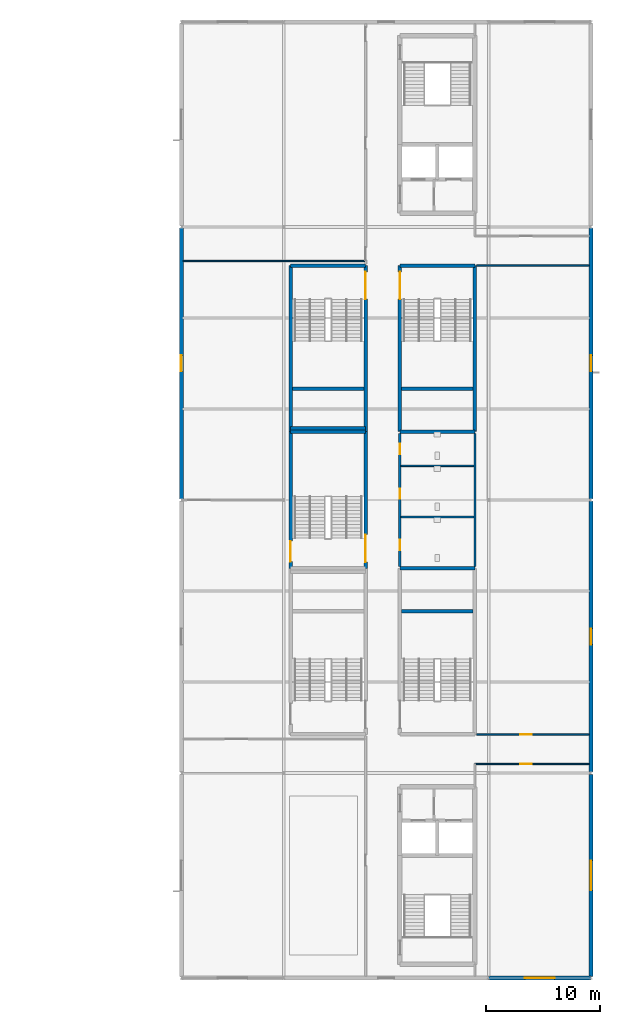
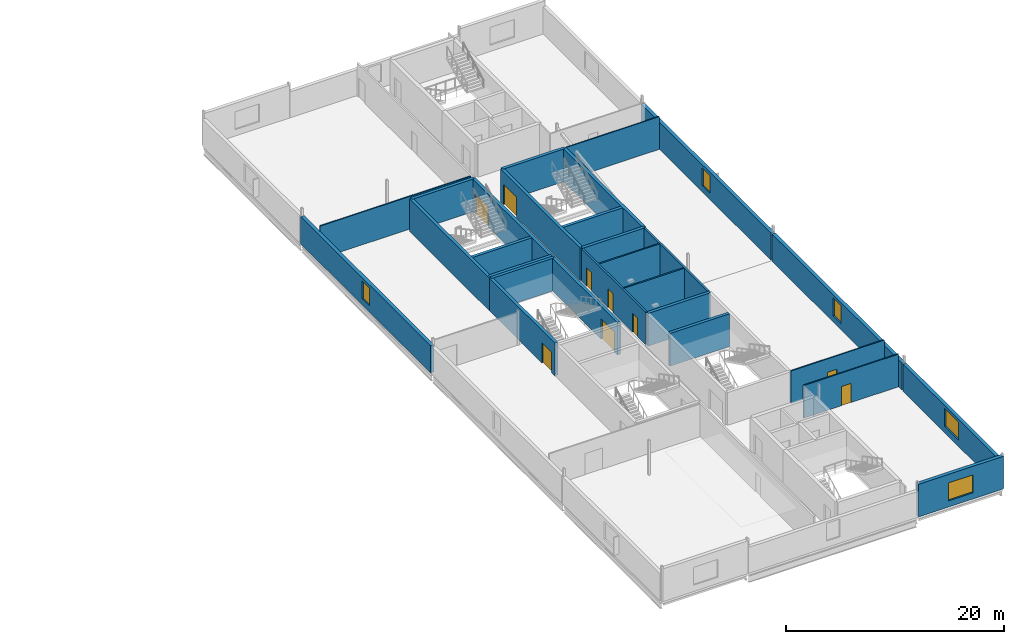
# One storey, part 23 of 35: 28 walls, 9 doors, 5 windows, 14 openings.
"""IFC4 building model written with IfcOpenShell, lengths in metres."""

from ifc_helpers import new_model, si_unit, direction, frame, frame_2d, origin, place, context, subcontext, project, spatial, rectangle, extrude, material, layer, layer_set, type_object, element, fill, save


model = new_model("IFC4")

# Units and contexts
model_context = context("Model", 3, precision=1e-05, world=origin(), true_north=direction((0.0, 1.0)))
body_context = subcontext(model_context, "Body", "Model", "MODEL_VIEW")
ifc_project = project(units=[si_unit("LENGTHUNIT", "METRE"), si_unit("AREAUNIT", "SQUARE_METRE"), si_unit("VOLUMEUNIT", "CUBIC_METRE"), si_unit("PLANEANGLEUNIT", "RADIAN"), si_unit("MASSUNIT", "GRAM", prefix="KILO")], contexts=[model_context])

# Site, building, storey
site_placement = place(None, origin())
site = spatial("IfcSite", under=ifc_project, at=site_placement, CompositionType="ELEMENT")
building_placement = place(site_placement, origin())
building = spatial("IfcBuilding", under=site, at=building_placement, Name="Kisiwana Market Hall", CompositionType="ELEMENT")
storey_placement = place(building_placement, frame((0.0, 0.0, 57.89990234375)))
storey = spatial("IfcBuildingStorey", under=building, at=storey_placement, Name="L13", CompositionType="ELEMENT", Elevation=57.89990234375)

# Wall
ifc_material_1 = material(Name="Masonry blockwork", Category="masonry")
ifc_layer_1 = layer(ifc_material_1, 0.199951171875, Name="Plastered fire compartment block wall")
ifc_layer_set_1 = layer_set([ifc_layer_1], Name="WL-COMP-200")
wall_type_1 = type_object("IfcWallType", Name="WL-COMP-200", PredefinedType="PARTITIONING", material=ifc_layer_set_1)
wall_1_placement = place(storey_placement, frame((187.800048828125, 54.159912109375, 0.0), z_axis=(0.0, 0.0, 1.0), x_axis=(0.0, 1.0, 0.0)))
element("IfcWall", 1, at=wall_1_placement, inside=storey, type_object=wall_type_1, Name="Interior partition W-3182", PredefinedType="PARTITIONING", context=body_context, shape_type="SweptSolid", body=[
    extrude(rectangle(XDim=11.68017578125, YDim=0.199951171875, at=frame_2d((5.840087890625, 0.0))), origin(), (0.0, 0.0, 1.0), 3.655029296875),
])

# Wall, openings, doors
wall_2_placement = place(storey_placement, frame((181.199951171875, 54.159912109375, 0.0), z_axis=(0.0, 0.0, 1.0), x_axis=(0.0, 1.0, 0.0)))
wall_2 = element("IfcWall", 2, at=wall_2_placement, inside=storey, type_object=wall_type_1, Name="Interior partition W-3183", PredefinedType="PARTITIONING", context=body_context, shape_type="SweptSolid", body=[
    extrude(rectangle(XDim=11.68017578125, YDim=0.199951171875, at=frame_2d((5.840087890625, 0.0))), origin(), (0.0, 0.0, 1.0), 3.655029296875),
])
opening_1_placement = place(wall_2_placement, frame((1.43994140625, 0.0, 0.0)))
opening_1 = element("IfcOpeningElement", 3, at=opening_1_placement, cuts=wall_2, Name="Opening DR-L13-039", PredefinedType="OPENING", context=body_context, shape_type="SweptSolid", body=[
    extrude(rectangle(XDim=0.89990234375, YDim=2.10009765625, at=frame_2d((0.449951171875, 1.050048828125))), frame((0.0, 0.11181640625, 0.0), z_axis=(0.0, -1.0, 0.0), x_axis=(1.0, 0.0, 0.0)), (0.0, 0.0, 1.0), 0.223876953125),
])
opening_2_placement = place(wall_2_placement, frame((5.93994140625, 0.0, 0.0)))
opening_2 = element("IfcOpeningElement", 4, at=opening_2_placement, cuts=wall_2, Name="Opening DR-L13-040", PredefinedType="OPENING", context=body_context, shape_type="SweptSolid", body=[
    extrude(rectangle(XDim=0.89990234375, YDim=2.10009765625, at=frame_2d((0.449951171875, 1.050048828125))), frame((0.0, 0.11181640625, 0.0), z_axis=(0.0, -1.0, 0.0), x_axis=(1.0, 0.0, 0.0)), (0.0, 0.0, 1.0), 0.223876953125),
])
opening_3_placement = place(wall_2_placement, frame((9.840087890625, 0.0, 0.0)))
opening_3 = element("IfcOpeningElement", 5, at=opening_3_placement, cuts=wall_2, Name="Opening DR-L13-041", PredefinedType="OPENING", context=body_context, shape_type="SweptSolid", body=[
    extrude(rectangle(XDim=0.949951171875, YDim=2.10009765625, at=frame_2d((0.47509765625, 1.050048828125))), frame((0.0, 0.11181640625, 0.0), z_axis=(0.0, -1.0, 0.0), x_axis=(1.0, 0.0, 0.0)), (0.0, 0.0, 1.0), 0.223876953125),
])
ifc_material_2 = material(Name="Aluminium alloy 6063-T6", Category="aluminium")
door_type_1 = type_object("IfcDoorType", Name="DR-WC-ACC-950", OperationType="NOTDEFINED", PredefinedType="DOOR", material=ifc_material_2)
door_1_placement = place(opening_3_placement, frame((0.949951171875, 0.0, 0.0), z_axis=(0.0, 0.0, 1.0), x_axis=(-1.0, 0.0, 0.0)))
door_1 = element("IfcDoor", 6, at=door_1_placement, inside=storey, type_object=door_type_1, Name="L13 E Accessible WC Door", OperationType="SINGLE_SWING_LEFT", OverallHeight=2.10009765625, OverallWidth=0.949951171875, PredefinedType="DOOR", context=body_context, shape_type="SweptSolid", body=[
    extrude(rectangle(XDim=0.949951171875, YDim=2.10009765625, at=frame_2d((0.47509765625, 1.050048828125))), frame((0.0, 0.02490234375, 0.0), z_axis=(0.0, -1.0, 0.0), x_axis=(1.0, 0.0, 0.0)), (0.0, 0.0, 1.0), 0.050048828125),
])
fill(opening_3, door_1)
ifc_material_3 = material(Name="Aluminium alloy 6063-T6", Category="aluminium")
door_type_2 = type_object("IfcDoorType", Name="DR-WC-STD-900", OperationType="NOTDEFINED", PredefinedType="DOOR", material=ifc_material_3)
door_2_placement = place(opening_1_placement, frame((0.89990234375, 0.0, 0.0), z_axis=(0.0, 0.0, 1.0), x_axis=(-1.0, 0.0, 0.0)))
door_2 = element("IfcDoor", 7, at=door_2_placement, inside=storey, type_object=door_type_2, Name="L13 E Male Toilet Door", OperationType="SINGLE_SWING_RIGHT", OverallHeight=2.10009765625, OverallWidth=0.89990234375, PredefinedType="DOOR", context=body_context, shape_type="SweptSolid", body=[
    extrude(rectangle(XDim=0.89990234375, YDim=2.10009765625, at=frame_2d((0.449951171875, 1.050048828125))), frame((0.0, 0.02490234375, 0.0), z_axis=(0.0, -1.0, 0.0), x_axis=(1.0, 0.0, 0.0)), (0.0, 0.0, 1.0), 0.050048828125),
])
fill(opening_1, door_2)
door_3_placement = place(opening_2_placement, frame((0.89990234375, 0.0, 0.0), z_axis=(0.0, 0.0, 1.0), x_axis=(-1.0, 0.0, 0.0)))
door_3 = element("IfcDoor", 8, at=door_3_placement, inside=storey, type_object=door_type_2, Name="L13 E Female Toilet Door", OperationType="SINGLE_SWING_LEFT", OverallHeight=2.10009765625, OverallWidth=0.89990234375, PredefinedType="DOOR", context=body_context, shape_type="SweptSolid", body=[
    extrude(rectangle(XDim=0.89990234375, YDim=2.10009765625, at=frame_2d((0.449951171875, 1.050048828125))), frame((0.0, 0.02490234375, 0.0), z_axis=(0.0, -1.0, 0.0), x_axis=(1.0, 0.0, 0.0)), (0.0, 0.0, 1.0), 0.050048828125),
])
fill(opening_2, door_3)

# Walls
ifc_material_4 = material(Name="Concrete C40/50", Category="concrete")
ifc_layer_2 = layer(ifc_material_4, 0.320068359375, Name="Reinforced concrete shaft wall")
ifc_layer_set_2 = layer_set([ifc_layer_2], Name="WL-CORE-320")
wall_type_2 = type_object("IfcWallType", Name="WL-CORE-320", PredefinedType="SHEAR", material=ifc_layer_set_2)
wall_3_placement = place(storey_placement, frame((181.199951171875, 54.0, 0.0), z_axis=(0.0, 0.0, 1.0), x_axis=(1.0, 0.0, 0.0)))
element("IfcWall", 9, at=wall_3_placement, inside=storey, type_object=wall_type_2, Name="Core E3 north shear wall W-3096", PredefinedType="SHEAR", context=body_context, shape_type="SweptSolid", body=[
    extrude(rectangle(XDim=6.60009765625, YDim=0.320068359375, at=frame_2d((3.300048828125, 0.0))), origin(), (0.0, 0.0, 1.0), 3.655029296875),
])
wall_4_placement = place(storey_placement, frame((181.360107421875, 50.219970703125, 0.0), z_axis=(0.0, 0.0, 1.0), x_axis=(1.0, 0.0, 0.0)))
element("IfcWall", 10, at=wall_4_placement, inside=storey, type_object=wall_type_2, Name="Core E3 riser divider shear wall W-3099", PredefinedType="SHEAR", context=body_context, shape_type="SweptSolid", body=[
    extrude(rectangle(XDim=6.27978515625, YDim=0.320068359375, at=frame_2d((3.139892578125, 0.0))), origin(), (0.0, 0.0, 1.0), 3.655029296875),
])
for number, where, z_axis, x_axis, name in (
    (11, (181.199951171875, 66.0, 0.0), (0.0, 0.0, 1.0), (1.0, 0.0, 0.0), "Core E4 south shear wall W-3100"),
    (12, (181.199951171875, 80.60009765625, 0.0), (0.0, 0.0, 1.0), (1.0, 0.0, 0.0), "Core E4 north shear wall W-3101"),
):
    element("IfcWall", number, at=place(storey_placement, frame(where, z_axis=z_axis, x_axis=x_axis)), inside=storey, type_object=wall_type_2, Name=name, PredefinedType="SHEAR", context=body_context, shape_type="SweptSolid", body=[
        extrude(rectangle(XDim=6.60009765625, YDim=0.320068359375, at=frame_2d((3.300048828125, 0.0))), origin(), (0.0, 0.0, 1.0), 3.655029296875),
    ])

# Wall, opening, door
wall_5_placement = place(storey_placement, frame((181.199951171875, 66.0, 0.0), z_axis=(0.0, 0.0, 1.0), x_axis=(0.0, 1.0, 0.0)))
wall_5 = element("IfcWall", 13, at=wall_5_placement, inside=storey, type_object=wall_type_2, Name="Core E4 corridor shear wall W-3102", PredefinedType="SHEAR", context=body_context, shape_type="SweptSolid", body=[
    extrude(rectangle(XDim=14.60009765625, YDim=0.320068359375, at=frame_2d((7.300048828125, 0.0))), origin(), (0.0, 0.0, 1.0), 3.655029296875),
])
opening_4_placement = place(wall_5_placement, frame((11.64990234375, 0.0, 0.0)))
opening_4 = element("IfcOpeningElement", 14, at=opening_4_placement, cuts=wall_5, Name="Opening DR-L13-016", PredefinedType="OPENING", context=body_context, shape_type="SweptSolid", body=[
    extrude(rectangle(XDim=2.39990234375, YDim=2.25, at=frame_2d((1.199951171875, 1.125))), frame((0.0, 0.171875, 0.0), z_axis=(0.0, -1.0, 0.0), x_axis=(1.0, 0.0, 0.0)), (0.0, 0.0, 1.0), 0.343994140625),
])
ifc_material_5 = material(Name="Steel S275", Category="steel")
door_type_3 = type_object("IfcDoorType", Name="DR-STAIR-FD120-2400", OperationType="DOUBLE_DOOR_SINGLE_SWING", PredefinedType="DOOR", material=ifc_material_5)
door_4_placement = place(opening_4_placement, frame((2.39990234375, 0.0, 0.0), z_axis=(0.0, 0.0, 1.0), x_axis=(-1.0, 0.0, 0.0)))
door_4 = element("IfcDoor", 15, at=door_4_placement, inside=storey, type_object=door_type_3, Name="Escape Stair E4 Fire Door (L13)", OperationType="DOUBLE_DOOR_SINGLE_SWING", OverallHeight=2.25, OverallWidth=2.39990234375, PredefinedType="DOOR", context=body_context, shape_type="SweptSolid", body=[
    extrude(rectangle(XDim=2.39990234375, YDim=2.25, at=frame_2d((1.199951171875, 1.125))), frame((0.0, 0.02490234375, 0.0), z_axis=(0.0, -1.0, 0.0), x_axis=(1.0, 0.0, 0.0)), (0.0, 0.0, 1.0), 0.050048828125),
])
fill(opening_4, door_4)

# Walls
wall_6_placement = place(storey_placement, frame((187.800048828125, 66.0, 0.0), z_axis=(0.0, 0.0, 1.0), x_axis=(0.0, 1.0, 0.0)))
element("IfcWall", 16, at=wall_6_placement, inside=storey, type_object=wall_type_2, Name="Core E4 outer shear wall W-3103", PredefinedType="SHEAR", context=body_context, shape_type="SweptSolid", body=[
    extrude(rectangle(XDim=14.60009765625, YDim=0.320068359375, at=frame_2d((7.300048828125, 0.0))), origin(), (0.0, 0.0, 1.0), 3.655029296875),
])
wall_7_placement = place(storey_placement, frame((181.360107421875, 69.780029296875, 0.0), z_axis=(0.0, 0.0, 1.0), x_axis=(1.0, 0.0, 0.0)))
element("IfcWall", 17, at=wall_7_placement, inside=storey, type_object=wall_type_2, Name="Core E4 riser divider shear wall W-3104", PredefinedType="SHEAR", context=body_context, shape_type="SweptSolid", body=[
    extrude(rectangle(XDim=6.27978515625, YDim=0.320068359375, at=frame_2d((3.139892578125, 0.0))), origin(), (0.0, 0.0, 1.0), 3.655029296875),
])
for number, where, z_axis, x_axis, name in (
    (18, (171.60009765625, 66.0, 0.0), (0.0, 0.0, 1.0), (1.0, 0.0, 0.0), "Core E8 south shear wall W-3120"),
    (19, (171.60009765625, 80.60009765625, 0.0), (0.0, 0.0, 1.0), (1.0, 0.0, 0.0), "Core E8 north shear wall W-3121"),
):
    element("IfcWall", number, at=place(storey_placement, frame(where, z_axis=z_axis, x_axis=x_axis)), inside=storey, type_object=wall_type_2, Name=name, PredefinedType="SHEAR", context=body_context, shape_type="SweptSolid", body=[
        extrude(rectangle(XDim=6.599853515625, YDim=0.320068359375, at=frame_2d((3.2998046875, 0.0))), origin(), (0.0, 0.0, 1.0), 3.655029296875),
    ])
wall_8_placement = place(storey_placement, frame((171.60009765625, 66.0, 0.0), z_axis=(0.0, 0.0, 1.0), x_axis=(0.0, 1.0, 0.0)))
element("IfcWall", 20, at=wall_8_placement, inside=storey, type_object=wall_type_2, Name="Core E8 outer shear wall W-3122", PredefinedType="SHEAR", context=body_context, shape_type="SweptSolid", body=[
    extrude(rectangle(XDim=14.60009765625, YDim=0.320068359375, at=frame_2d((7.300048828125, 0.0))), origin(), (0.0, 0.0, 1.0), 3.655029296875),
])

# Wall, opening, door
wall_9_placement = place(storey_placement, frame((178.199951171875, 66.0, 0.0), z_axis=(0.0, 0.0, 1.0), x_axis=(0.0, 1.0, 0.0)))
wall_9 = element("IfcWall", 21, at=wall_9_placement, inside=storey, type_object=wall_type_2, Name="Core E8 corridor shear wall W-3123", PredefinedType="SHEAR", context=body_context, shape_type="SweptSolid", body=[
    extrude(rectangle(XDim=14.60009765625, YDim=0.320068359375, at=frame_2d((7.300048828125, 0.0))), origin(), (0.0, 0.0, 1.0), 3.655029296875),
])
opening_5_placement = place(wall_9_placement, frame((11.64990234375, 0.0, 0.0)))
opening_5 = element("IfcOpeningElement", 22, at=opening_5_placement, cuts=wall_9, Name="Opening DR-L13-022", PredefinedType="OPENING", context=body_context, shape_type="SweptSolid", body=[
    extrude(rectangle(XDim=2.39990234375, YDim=2.25, at=frame_2d((1.199951171875, 1.125))), frame((0.0, 0.171875, 0.0), z_axis=(0.0, -1.0, 0.0), x_axis=(1.0, 0.0, 0.0)), (0.0, 0.0, 1.0), 0.343994140625),
])
door_5_placement = place(opening_5_placement, origin())
door_5 = element("IfcDoor", 23, at=door_5_placement, inside=storey, type_object=door_type_3, Name="Escape Stair E8 Fire Door (L13)", OperationType="DOUBLE_DOOR_SINGLE_SWING", OverallHeight=2.25, OverallWidth=2.39990234375, PredefinedType="DOOR", context=body_context, shape_type="SweptSolid", body=[
    extrude(rectangle(XDim=2.39990234375, YDim=2.25, at=frame_2d((1.199951171875, 1.125))), frame((0.0, 0.02490234375, 0.0), z_axis=(0.0, -1.0, 0.0), x_axis=(1.0, 0.0, 0.0)), (0.0, 0.0, 1.0), 0.050048828125),
])
fill(opening_5, door_5)

# Walls
wall_10_placement = place(storey_placement, frame((171.760009765625, 69.780029296875, 0.0), z_axis=(0.0, 0.0, 1.0), x_axis=(1.0, 0.0, 0.0)))
element("IfcWall", 24, at=wall_10_placement, inside=storey, type_object=wall_type_2, Name="Core E8 riser divider shear wall W-3124", PredefinedType="SHEAR", context=body_context, shape_type="SweptSolid", body=[
    extrude(rectangle(XDim=6.280029296875, YDim=0.320068359375, at=frame_2d((3.14013671875, 0.0))), origin(), (0.0, 0.0, 1.0), 3.655029296875),
])
wall_11_placement = place(storey_placement, frame((171.60009765625, 66.320068359375, 0.0), z_axis=(0.0, 0.0, 1.0), x_axis=(1.0, 0.0, 0.0)))
element("IfcWall", 25, at=wall_11_placement, inside=storey, type_object=wall_type_2, Name="Core E5 north shear wall W-3130", PredefinedType="SHEAR", context=body_context, shape_type="SweptSolid", body=[
    extrude(rectangle(XDim=6.599853515625, YDim=0.320068359375, at=frame_2d((3.2998046875, 0.0))), origin(), (0.0, 0.0, 1.0), 3.655029296875),
])

# Wall, opening, door
wall_12_placement = place(storey_placement, frame((171.60009765625, 54.0, 0.0), z_axis=(0.0, 0.0, 1.0), x_axis=(0.0, 1.0, 0.0)))
wall_12 = element("IfcWall", 26, at=wall_12_placement, inside=storey, type_object=wall_type_2, Name="Core E5 outer shear wall W-3131", PredefinedType="SHEAR", context=body_context, shape_type="SweptSolid", body=[
    extrude(rectangle(XDim=12.0, YDim=0.320068359375, at=frame_2d((6.0, 0.0))), origin(), (0.0, 0.0, 1.0), 3.655029296875),
])
opening_6_placement = place(wall_12_placement, frame((0.580078125, 0.0, 0.0)))
opening_6 = element("IfcOpeningElement", 27, at=opening_6_placement, cuts=wall_12, Name="Opening DR-L13-026", PredefinedType="OPENING", context=body_context, shape_type="SweptSolid", body=[
    extrude(rectangle(XDim=1.800048828125, YDim=2.25, at=frame_2d((0.89990234375, 1.125))), frame((0.0, 0.171875, 0.0), z_axis=(0.0, -1.0, 0.0), x_axis=(1.0, 0.0, 0.0)), (0.0, 0.0, 1.0), 0.343994140625),
])
ifc_material_6 = material(Name="Steel S275", Category="steel")
door_type_4 = type_object("IfcDoorType", Name="DR-STAIR-FD120-1800", OperationType="DOUBLE_DOOR_SINGLE_SWING", PredefinedType="DOOR", material=ifc_material_6)
door_6_placement = place(opening_6_placement, frame((1.800048828125, 0.0, 0.0), z_axis=(0.0, 0.0, 1.0), x_axis=(-1.0, 0.0, 0.0)))
door_6 = element("IfcDoor", 28, at=door_6_placement, inside=storey, type_object=door_type_4, Name="Escape Stair E5 Room Door (L13)", OperationType="DOUBLE_DOOR_SINGLE_SWING", OverallHeight=2.25, OverallWidth=1.800048828125, PredefinedType="DOOR", context=body_context, shape_type="SweptSolid", body=[
    extrude(rectangle(XDim=1.800048828125, YDim=2.25, at=frame_2d((0.89990234375, 1.125))), frame((0.0, 0.02490234375, 0.0), z_axis=(0.0, -1.0, 0.0), x_axis=(1.0, 0.0, 0.0)), (0.0, 0.0, 1.0), 0.050048828125),
])
fill(opening_6, door_6)

wall_13_placement = place(storey_placement, frame((178.199951171875, 54.0, 0.0), z_axis=(0.0, 0.0, 1.0), x_axis=(0.0, 1.0, 0.0)))
wall_13 = element("IfcWall", 29, at=wall_13_placement, inside=storey, type_object=wall_type_2, Name="Core E5 corridor shear wall W-3132", PredefinedType="SHEAR", context=body_context, shape_type="SweptSolid", body=[
    extrude(rectangle(XDim=12.0, YDim=0.320068359375, at=frame_2d((6.0, 0.0))), origin(), (0.0, 0.0, 1.0), 3.655029296875),
])
opening_7_placement = place(wall_13_placement, frame((0.550048828125, 0.0, 0.0)))
opening_7 = element("IfcOpeningElement", 30, at=opening_7_placement, cuts=wall_13, Name="Opening DR-L13-025", PredefinedType="OPENING", context=body_context, shape_type="SweptSolid", body=[
    extrude(rectangle(XDim=2.39990234375, YDim=2.25, at=frame_2d((1.199951171875, 1.125))), frame((0.0, 0.171875, 0.0), z_axis=(0.0, -1.0, 0.0), x_axis=(1.0, 0.0, 0.0)), (0.0, 0.0, 1.0), 0.343994140625),
])
door_7_placement = place(opening_7_placement, origin())
door_7 = element("IfcDoor", 31, at=door_7_placement, inside=storey, type_object=door_type_3, Name="Escape Stair E5 Fire Door (L13)", OperationType="DOUBLE_DOOR_SINGLE_SWING", OverallHeight=2.25, OverallWidth=2.39990234375, PredefinedType="DOOR", context=body_context, shape_type="SweptSolid", body=[
    extrude(rectangle(XDim=2.39990234375, YDim=2.25, at=frame_2d((1.199951171875, 1.125))), frame((0.0, 0.02490234375, 0.0), z_axis=(0.0, -1.0, 0.0), x_axis=(1.0, 0.0, 0.0)), (0.0, 0.0, 1.0), 0.050048828125),
])
fill(opening_7, door_7)

# Wall, opening, window
ifc_material_7 = material(Name="Concrete C40/50 precast", Category="concrete")
ifc_layer_3 = layer(ifc_material_7, 0.364990234375)
ifc_layer_set_3 = layer_set([ifc_layer_3], Name="WL-EXT-365")
wall_type_3 = type_object("IfcWallType", Name="WL-EXT-365", PredefinedType="STANDARD", material=ifc_layer_set_3)
wall_14_placement = place(storey_placement, frame((189.010009765625, 18.0, 0.0), z_axis=(0.0, 0.0, 1.0), x_axis=(1.0, 0.0, 0.0)))
wall_14 = element("IfcWall", 32, at=wall_14_placement, inside=storey, type_object=wall_type_3, Name="Exterior wall W-3138", PredefinedType="STANDARD", context=body_context, shape_type="SweptSolid", body=[
    extrude(rectangle(XDim=8.97998046875, YDim=0.364990234375, at=frame_2d((4.489990234375, 0.0))), origin(), (0.0, 0.0, 1.0), 3.655029296875),
])
opening_8_placement = place(wall_14_placement, frame((3.18994140625, 0.0, 0.699951171875)))
opening_8 = element("IfcOpeningElement", 33, at=opening_8_placement, cuts=wall_14, Name="Opening WN-13", PredefinedType="OPENING", context=body_context, shape_type="SweptSolid", body=[
    extrude(rectangle(XDim=2.60009765625, YDim=2.0, at=frame_2d((1.300048828125, 1.0))), frame((0.0, 0.1943359375, 0.0), z_axis=(0.0, -1.0, 0.0), x_axis=(1.0, 0.0, 0.0)), (0.0, 0.0, 1.0), 0.388916015625),
])
ifc_material_8 = material(Name="Double-glazed solar-control low-E IGU", Category="glass")
window_type_1 = type_object("IfcWindowType", Name="WN-OFFC-2600x2000", PartitioningType="SINGLE_PANEL", PredefinedType="WINDOW", material=ifc_material_8)
window_1_placement = place(opening_8_placement, origin())
window_1 = element("IfcWindow", 34, at=window_1_placement, inside=storey, type_object=window_type_1, Name="Exterior window WN-369", OverallHeight=2.0, OverallWidth=2.60009765625, PartitioningType="SINGLE_PANEL", PredefinedType="WINDOW", context=body_context, shape_type="SweptSolid", body=[
    extrude(rectangle(XDim=2.60009765625, YDim=2.0, at=frame_2d((1.300048828125, 1.0))), frame((0.0, 0.030029296875, 0.0), z_axis=(0.0, -1.0, 0.0), x_axis=(1.0, 0.0, 0.0)), (0.0, 0.0, 1.0), 0.06005859375),
])
fill(opening_8, window_1)

wall_15_placement = place(storey_placement, frame((162.0, 60.107666015625, 0.0), z_axis=(0.0, 0.0, 1.0), x_axis=(0.0, 1.0, 0.0)))
wall_15 = element("IfcWall", 35, at=wall_15_placement, inside=storey, type_object=wall_type_3, Name="Exterior wall W-3155", PredefinedType="STANDARD", context=body_context, shape_type="SweptSolid", body=[
    extrude(rectangle(XDim=23.78466796875, YDim=0.364990234375, at=frame_2d((11.892333984375, 0.0))), origin(), (0.0, 0.0, 1.0), 3.04296875),
])
opening_9_placement = place(wall_15_placement, frame((11.1923828125, 0.0, 0.699951171875)))
opening_9 = element("IfcOpeningElement", 36, at=opening_9_placement, cuts=wall_15, Name="Opening WN-05", PredefinedType="OPENING", context=body_context, shape_type="SweptSolid", body=[
    extrude(rectangle(XDim=1.39990234375, YDim=2.0, at=frame_2d((0.699951171875, 1.0))), frame((0.0, 0.1943359375, 0.0), z_axis=(0.0, -1.0, 0.0), x_axis=(1.0, 0.0, 0.0)), (0.0, 0.0, 1.0), 0.388916015625),
])
ifc_material_9 = material(Name="Double-glazed solar-control low-E IGU", Category="glass")
window_type_2 = type_object("IfcWindowType", Name="WN-OFFC-1400x2000", PartitioningType="SINGLE_PANEL", PredefinedType="WINDOW", material=ifc_material_9)
window_2_placement = place(opening_9_placement, origin())
window_2 = element("IfcWindow", 37, at=window_2_placement, inside=storey, type_object=window_type_2, Name="Exterior window WN-363", OverallHeight=2.0, OverallWidth=1.39990234375, PartitioningType="SINGLE_PANEL", PredefinedType="WINDOW", context=body_context, shape_type="SweptSolid", body=[
    extrude(rectangle(XDim=1.39990234375, YDim=2.0, at=frame_2d((0.699951171875, 1.0))), frame((0.0, 0.030029296875, 0.0), z_axis=(0.0, -1.0, 0.0), x_axis=(1.0, 0.0, 0.0)), (0.0, 0.0, 1.0), 0.06005859375),
])
fill(opening_9, window_2)

wall_16_placement = place(storey_placement, frame((198.0, 18.107666015625, 0.0), z_axis=(0.0, 0.0, 1.0), x_axis=(0.0, 1.0, 0.0)))
wall_16 = element("IfcWall", 38, at=wall_16_placement, inside=storey, type_object=wall_type_3, Name="Exterior wall W-3157", PredefinedType="STANDARD", context=body_context, shape_type="SweptSolid", body=[
    extrude(rectangle(XDim=17.78466796875, YDim=0.364990234375, at=frame_2d((8.892333984375, 0.0))), origin(), (0.0, 0.0, 1.0), 3.04296875),
])
opening_10_placement = place(wall_16_placement, frame((7.59228515625, 0.0, 0.699951171875)))
opening_10 = element("IfcOpeningElement", 39, at=opening_10_placement, cuts=wall_16, Name="Opening WN-13", PredefinedType="OPENING", context=body_context, shape_type="SweptSolid", body=[
    extrude(rectangle(XDim=2.60009765625, YDim=2.0, at=frame_2d((1.300048828125, 1.0))), frame((0.0, 0.1943359375, 0.0), z_axis=(0.0, -1.0, 0.0), x_axis=(1.0, 0.0, 0.0)), (0.0, 0.0, 1.0), 0.388916015625),
])
window_3_placement = place(opening_10_placement, origin())
window_3 = element("IfcWindow", 40, at=window_3_placement, inside=storey, type_object=window_type_1, Name="Exterior window WN-380", OverallHeight=2.0, OverallWidth=2.60009765625, PartitioningType="SINGLE_PANEL", PredefinedType="WINDOW", context=body_context, shape_type="SweptSolid", body=[
    extrude(rectangle(XDim=2.60009765625, YDim=2.0, at=frame_2d((1.300048828125, 1.0))), frame((0.0, 0.030029296875, 0.0), z_axis=(0.0, -1.0, 0.0), x_axis=(1.0, 0.0, 0.0)), (0.0, 0.0, 1.0), 0.06005859375),
])
fill(opening_10, window_3)

wall_17_placement = place(storey_placement, frame((198.0, 36.107666015625, 0.0), z_axis=(0.0, 0.0, 1.0), x_axis=(0.0, 1.0, 0.0)))
wall_17 = element("IfcWall", 41, at=wall_17_placement, inside=storey, type_object=wall_type_3, Name="Exterior wall W-3158", PredefinedType="STANDARD", context=body_context, shape_type="SweptSolid", body=[
    extrude(rectangle(XDim=23.78466796875, YDim=0.364990234375, at=frame_2d((11.892333984375, 0.0))), origin(), (0.0, 0.0, 1.0), 3.04296875),
])
opening_11_placement = place(wall_17_placement, frame((11.1923828125, 0.0, 0.699951171875)))
opening_11 = element("IfcOpeningElement", 42, at=opening_11_placement, cuts=wall_17, Name="Opening WN-05", PredefinedType="OPENING", context=body_context, shape_type="SweptSolid", body=[
    extrude(rectangle(XDim=1.39990234375, YDim=2.0, at=frame_2d((0.699951171875, 1.0))), frame((0.0, 0.1943359375, 0.0), z_axis=(0.0, -1.0, 0.0), x_axis=(1.0, 0.0, 0.0)), (0.0, 0.0, 1.0), 0.388916015625),
])
window_4_placement = place(opening_11_placement, origin())
window_4 = element("IfcWindow", 43, at=window_4_placement, inside=storey, type_object=window_type_2, Name="Exterior window WN-364", OverallHeight=2.0, OverallWidth=1.39990234375, PartitioningType="SINGLE_PANEL", PredefinedType="WINDOW", context=body_context, shape_type="SweptSolid", body=[
    extrude(rectangle(XDim=1.39990234375, YDim=2.0, at=frame_2d((0.699951171875, 1.0))), frame((0.0, 0.030029296875, 0.0), z_axis=(0.0, -1.0, 0.0), x_axis=(1.0, 0.0, 0.0)), (0.0, 0.0, 1.0), 0.06005859375),
])
fill(opening_11, window_4)

wall_18_placement = place(storey_placement, frame((198.0, 60.107666015625, 0.0), z_axis=(0.0, 0.0, 1.0), x_axis=(0.0, 1.0, 0.0)))
wall_18 = element("IfcWall", 44, at=wall_18_placement, inside=storey, type_object=wall_type_3, Name="Exterior wall W-3159", PredefinedType="STANDARD", context=body_context, shape_type="SweptSolid", body=[
    extrude(rectangle(XDim=23.78466796875, YDim=0.364990234375, at=frame_2d((11.892333984375, 0.0))), origin(), (0.0, 0.0, 1.0), 3.04296875),
])
opening_12_placement = place(wall_18_placement, frame((11.1923828125, 0.0, 0.699951171875)))
opening_12 = element("IfcOpeningElement", 45, at=opening_12_placement, cuts=wall_18, Name="Opening WN-05", PredefinedType="OPENING", context=body_context, shape_type="SweptSolid", body=[
    extrude(rectangle(XDim=1.39990234375, YDim=2.0, at=frame_2d((0.699951171875, 1.0))), frame((0.0, 0.1943359375, 0.0), z_axis=(0.0, -1.0, 0.0), x_axis=(1.0, 0.0, 0.0)), (0.0, 0.0, 1.0), 0.388916015625),
])
window_5_placement = place(opening_12_placement, origin())
window_5 = element("IfcWindow", 46, at=window_5_placement, inside=storey, type_object=window_type_2, Name="Exterior window WN-365", OverallHeight=2.0, OverallWidth=1.39990234375, PartitioningType="SINGLE_PANEL", PredefinedType="WINDOW", context=body_context, shape_type="SweptSolid", body=[
    extrude(rectangle(XDim=1.39990234375, YDim=2.0, at=frame_2d((0.699951171875, 1.0))), frame((0.0, 0.030029296875, 0.0), z_axis=(0.0, -1.0, 0.0), x_axis=(1.0, 0.0, 0.0)), (0.0, 0.0, 1.0), 0.06005859375),
])
fill(opening_12, window_5)

# Wall, opening, door
ifc_material_10 = material(Name="Gypsum plasterboard")
ifc_layer_4 = layer(ifc_material_10, 0.125, Name="Double gypsum board + acoustic stud")
ifc_layer_set_4 = layer_set([ifc_layer_4], Name="WL-OFF-125")
wall_type_4 = type_object("IfcWallType", Name="WL-OFF-125", PredefinedType="PARTITIONING", material=ifc_layer_set_4)
wall_19_placement = place(storey_placement, frame((187.800048828125, 36.800048828125, 0.0), z_axis=(0.0, 0.0, 1.0), x_axis=(1.0, 0.0, 0.0)))
wall_19 = element("IfcWall", 47, at=wall_19_placement, inside=storey, type_object=wall_type_4, Name="Interior partition W-3190", PredefinedType="PARTITIONING", context=body_context, shape_type="SweptSolid", body=[
    extrude(rectangle(XDim=10.04248046875, YDim=0.125, at=frame_2d((5.021240234375, 0.0))), origin(), (0.0, 0.0, 1.0), 3.655029296875),
])
opening_13_placement = place(wall_19_placement, frame((4.0, 0.0, 0.0)))
opening_13 = element("IfcOpeningElement", 48, at=opening_13_placement, cuts=wall_19, Name="Opening DR-L13-042", PredefinedType="OPENING", context=body_context, shape_type="SweptSolid", body=[
    extrude(rectangle(XDim=1.0, YDim=2.14990234375, at=frame_2d((0.5, 1.074951171875))), frame((0.0, 0.074462890625, 0.0), z_axis=(0.0, -1.0, 0.0), x_axis=(1.0, 0.0, 0.0)), (0.0, 0.0, 1.0), 0.14892578125),
])
ifc_material_11 = material(Name="Aluminium alloy 6063-T6", Category="aluminium")
door_type_5 = type_object("IfcDoorType", Name="DR-OFF-1000", OperationType="NOTDEFINED", PredefinedType="DOOR", material=ifc_material_11)
door_8_placement = place(opening_13_placement, frame((1.0, 0.0, 0.0), z_axis=(0.0, 0.0, 1.0), x_axis=(-1.0, 0.0, 0.0)))
door_8 = element("IfcDoor", 49, at=door_8_placement, inside=storey, type_object=door_type_5, Name="L13 E Commercial Office South Door", OperationType="SINGLE_SWING_RIGHT", OverallHeight=2.14990234375, OverallWidth=1.0, PredefinedType="DOOR", context=body_context, shape_type="SweptSolid", body=[
    extrude(rectangle(XDim=1.0, YDim=2.14990234375, at=frame_2d((0.5, 1.074951171875))), frame((0.0, 0.02490234375, 0.0), z_axis=(0.0, -1.0, 0.0), x_axis=(1.0, 0.0, 0.0)), (0.0, 0.0, 1.0), 0.050048828125),
])
fill(opening_13, door_8)

wall_20_placement = place(storey_placement, frame((187.9599609375, 39.39990234375, 0.0), z_axis=(0.0, 0.0, 1.0), x_axis=(1.0, 0.0, 0.0)))
wall_20 = element("IfcWall", 50, at=wall_20_placement, inside=storey, type_object=wall_type_4, Name="Interior partition W-3191", PredefinedType="PARTITIONING", context=body_context, shape_type="SweptSolid", body=[
    extrude(rectangle(XDim=9.882568359375, YDim=0.125, at=frame_2d((4.94140625, 0.0))), origin(), (0.0, 0.0, 1.0), 3.655029296875),
])
opening_14_placement = place(wall_20_placement, frame((3.840087890625, 0.0, 0.0)))
opening_14 = element("IfcOpeningElement", 51, at=opening_14_placement, cuts=wall_20, Name="Opening DR-L13-043", PredefinedType="OPENING", context=body_context, shape_type="SweptSolid", body=[
    extrude(rectangle(XDim=1.0, YDim=2.14990234375, at=frame_2d((0.5, 1.074951171875))), frame((0.0, 0.074462890625, 0.0), z_axis=(0.0, -1.0, 0.0), x_axis=(1.0, 0.0, 0.0)), (0.0, 0.0, 1.0), 0.14892578125),
])
door_9_placement = place(opening_14_placement, origin())
door_9 = element("IfcDoor", 52, at=door_9_placement, inside=storey, type_object=door_type_5, Name="L13 E Commercial Office Central Door", OperationType="SINGLE_SWING_LEFT", OverallHeight=2.14990234375, OverallWidth=1.0, PredefinedType="DOOR", context=body_context, shape_type="SweptSolid", body=[
    extrude(rectangle(XDim=1.0, YDim=2.14990234375, at=frame_2d((0.5, 1.074951171875))), frame((0.0, 0.02490234375, 0.0), z_axis=(0.0, -1.0, 0.0), x_axis=(1.0, 0.0, 0.0)), (0.0, 0.0, 1.0), 0.050048828125),
])
fill(opening_14, door_9)

# Walls
wall_21_placement = place(storey_placement, frame((187.9599609375, 80.60009765625, 0.0), z_axis=(0.0, 0.0, 1.0), x_axis=(1.0, 0.0, 0.0)))
element("IfcWall", 53, at=wall_21_placement, inside=storey, type_object=wall_type_4, Name="Interior partition W-3192", PredefinedType="PARTITIONING", context=body_context, shape_type="SweptSolid", body=[
    extrude(rectangle(XDim=9.882568359375, YDim=0.125, at=frame_2d((4.94140625, 0.0))), origin(), (0.0, 0.0, 1.0), 3.655029296875),
])
wall_22_placement = place(storey_placement, frame((162.157470703125, 81.0, 0.0), z_axis=(0.0, 0.0, 1.0), x_axis=(1.0, 0.0, 0.0)))
element("IfcWall", 54, at=wall_22_placement, inside=storey, type_object=wall_type_4, Name="Interior partition W-3196", PredefinedType="PARTITIONING", context=body_context, shape_type="SweptSolid", body=[
    extrude(rectangle(XDim=15.95751953125, YDim=0.125, at=frame_2d((7.978759765625, 0.0))), origin(), (0.0, 0.0, 1.0), 3.655029296875),
])
ifc_material_12 = material(Name="Masonry blockwork", Category="masonry")
ifc_layer_5 = layer(ifc_material_12, 0.14990234375, Name="Water-resistant sanitary block wall")
ifc_layer_set_5 = layer_set([ifc_layer_5], Name="WL-WET-150")
wall_type_5 = type_object("IfcWallType", Name="WL-WET-150", PredefinedType="PARTITIONING", material=ifc_layer_set_5)
for number, where, z_axis, x_axis, name in (
    (55, (181.284912109375, 58.5, 0.0), (0.0, 0.0, 1.0), (1.0, 0.0, 0.0), "Interior partition W-3184"),
    (56, (181.284912109375, 63.0, 0.0), (0.0, 0.0, 1.0), (1.0, 0.0, 0.0), "Interior partition W-3185"),
):
    element("IfcWall", number, at=place(storey_placement, frame(where, z_axis=z_axis, x_axis=x_axis)), inside=storey, type_object=wall_type_5, Name=name, PredefinedType="PARTITIONING", context=body_context, shape_type="SweptSolid", body=[
        extrude(rectangle(XDim=6.43017578125, YDim=0.14990234375, at=frame_2d((3.215087890625, 0.0))), origin(), (0.0, 0.0, 1.0), 3.655029296875),
    ])

save(model, "model.ifc")
